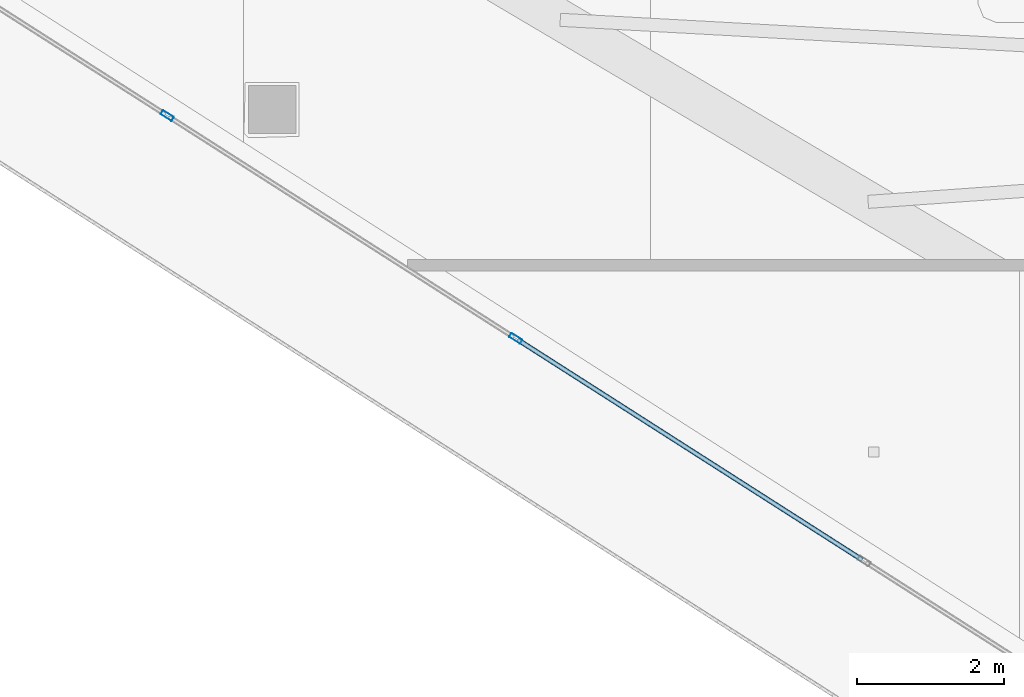
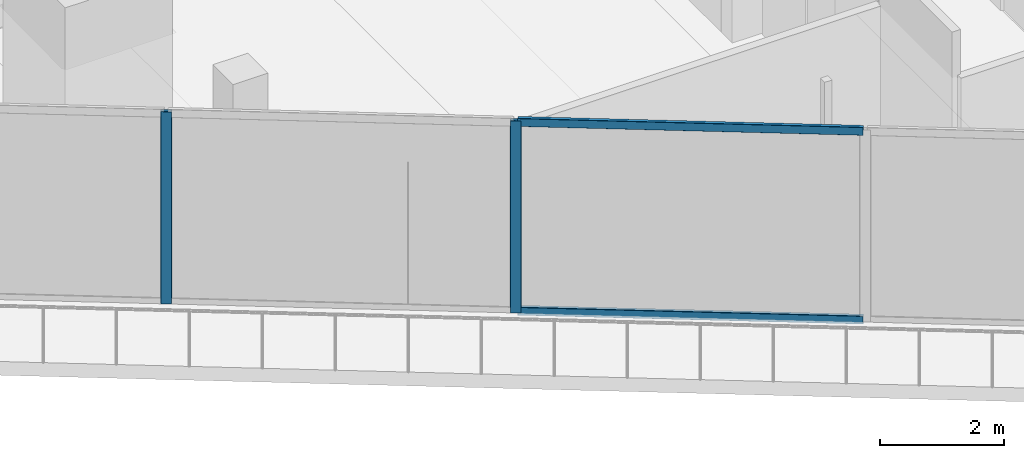
# One storey, part 6 of 36: 4 members, 1 element without a shape of its own.
"""IFC4 building model written with IfcOpenShell, lengths in metres."""

from ifc_helpers import new_model, si_unit, direction, frame, origin, origin_2d, place, context, subcontext, project, spatial, hollow_rectangle, extrude, material, layer, layer_set, material_profile, profile_set, type_object, element, aggregate, save


model = new_model("IFC4")

# Units and contexts
model_context = context("Model", 3, precision=1e-05, world=origin(), true_north=direction((0.0, 1.0)))
body_context = subcontext(model_context, "Body", "Model", "MODEL_VIEW")
ifc_project = project(units=[si_unit("LENGTHUNIT", "METRE"), si_unit("AREAUNIT", "SQUARE_METRE"), si_unit("VOLUMEUNIT", "CUBIC_METRE"), si_unit("PLANEANGLEUNIT", "RADIAN"), si_unit("MASSUNIT", "GRAM", prefix="KILO")], contexts=[model_context])

# Site, building, storey
site_placement = place(None, origin())
site = spatial("IfcSite", under=ifc_project, at=site_placement, CompositionType="ELEMENT")
building_placement = place(site_placement, origin())
building = spatial("IfcBuilding", under=site, at=building_placement, Name="Qorvath Tower", CompositionType="ELEMENT")
storey_placement = place(building_placement, frame((0.0, 0.0, 205.050048828125)))
storey = spatial("IfcBuildingStorey", under=building, at=storey_placement, Name="L47", CompositionType="ELEMENT", Elevation=205.050048828125)

# Curtain wall, members
ifc_material_1 = material(Name="Anodised aluminium and triple low-E glass", Category="aluminium")
ifc_layer = layer(ifc_material_1, 0.179931640625)
ifc_layer_set = layer_set([ifc_layer], Name="CW-SYS-3")
curtain_wall_type = type_object("IfcCurtainWallType", Name="CW-SYS-3", PredefinedType="NOTDEFINED", material=ifc_layer_set)
curtain_wall_placement = place(storey_placement, origin())
curtain_wall = element("IfcCurtainWall", 1, at=curtain_wall_placement, inside=storey, type_object=curtain_wall_type, Name="Curtain Wall CW-3 CW-T-L47-2.1", PredefinedType="NOTDEFINED")
ifc_material_2 = material(Name="Anodised aluminium 6063-T6", Category="aluminium")
ifc_material_profile_1 = material_profile(ifc_material_2, hollow_rectangle(XDim=0.06494140625, YDim=0.179931640625, WallThickness=0.00341796875, InnerFilletRadius=0.00341796875, OuterFilletRadius=0.007080078125, at=origin_2d()), Name="CWM 180x65")
ifc_profile_set_1 = profile_set([ifc_material_profile_1], Name="Anodised aluminium 6063-T6")
member_type_1 = type_object("IfcMemberType", Name="CWM-180", PredefinedType="MULLION", material=ifc_profile_set_1)
member_1_placement = place(storey_placement, frame((-50.01025390625, -6.5087890625, 0.0), z_axis=(0.0, 0.0, 1.0), x_axis=(0.538533623725, 0.842604020948, 0.0)))
member_1 = element("IfcMember", 2, at=member_1_placement, type_object=member_type_1, Name="CW-3 mullion 2", PredefinedType="MULLION", context=body_context, shape_type="SweptSolid", body=[
    extrude(hollow_rectangle(XDim=0.06494140625, YDim=0.179931640625, WallThickness=0.00341796875, InnerFilletRadius=0.00341796875, OuterFilletRadius=0.007080078125, at=origin_2d()), origin(), (0.0, 0.0, 1.0), 3.780029296875),
])
member_2_placement = place(storey_placement, frame((-45.2578125, -9.54638671875, 0.0), z_axis=(0.0, 0.0, 1.0), x_axis=(0.538533623725, 0.842604020948, 0.0)))
member_2 = element("IfcMember", 3, at=member_2_placement, type_object=member_type_1, Name="CW-3 mullion 3", PredefinedType="MULLION", context=body_context, shape_type="SweptSolid", body=[
    extrude(hollow_rectangle(XDim=0.06494140625, YDim=0.179931640625, WallThickness=0.00341796875, InnerFilletRadius=0.00341796875, OuterFilletRadius=0.007080078125, at=origin_2d()), origin(), (0.0, 0.0, 1.0), 3.780029296875),
])
ifc_material_3 = material(Name="Anodised aluminium 6063-T6", Category="aluminium")
ifc_material_profile_2 = material_profile(ifc_material_3, hollow_rectangle(XDim=0.06494140625, YDim=0.159912109375, WallThickness=0.00341796875, InnerFilletRadius=0.00341796875, OuterFilletRadius=0.007080078125, at=origin_2d()), Name="CWT 160x65")
ifc_profile_set_2 = profile_set([ifc_material_profile_2], Name="Anodised aluminium 6063-T6")
member_type_2 = type_object("IfcMemberType", Name="CWT-160", PredefinedType="USERDEFINED", material=ifc_profile_set_2)
member_3_placement = place(storey_placement, frame((-45.23046875, -9.563720703125, 0.032470703125), z_axis=(0.842606844645, -0.538529205667, 0.0), x_axis=(0.538529205667, 0.842606844645, 0.0)))
member_3 = element("IfcMember", 4, at=member_3_placement, type_object=member_type_2, Name="CW-3 transom 3.1", ObjectType="TRANSOM", PredefinedType="USERDEFINED", context=body_context, shape_type="SweptSolid", body=[
    extrude(hollow_rectangle(XDim=0.06494140625, YDim=0.159912109375, WallThickness=0.00341796875, InnerFilletRadius=0.00341796875, OuterFilletRadius=0.007080078125, at=origin_2d()), origin(), (0.0, 0.0, 1.0), 5.5751953125),
])
member_4_placement = place(storey_placement, frame((-45.23046875, -9.563720703125, 3.74755859375), z_axis=(0.842606844645, -0.538529205667, 0.0), x_axis=(0.538529205667, 0.842606844645, 0.0)))
member_4 = element("IfcMember", 5, at=member_4_placement, type_object=member_type_2, Name="CW-3 transom 3.2", ObjectType="TRANSOM", PredefinedType="USERDEFINED", context=body_context, shape_type="SweptSolid", body=[
    extrude(hollow_rectangle(XDim=0.06494140625, YDim=0.159912109375, WallThickness=0.00341796875, InnerFilletRadius=0.00341796875, OuterFilletRadius=0.007080078125, at=origin_2d()), origin(), (0.0, 0.0, 1.0), 5.5751953125),
])
aggregate(curtain_wall, [member_1, member_2, member_3, member_4])

save(model, "model.ifc")
